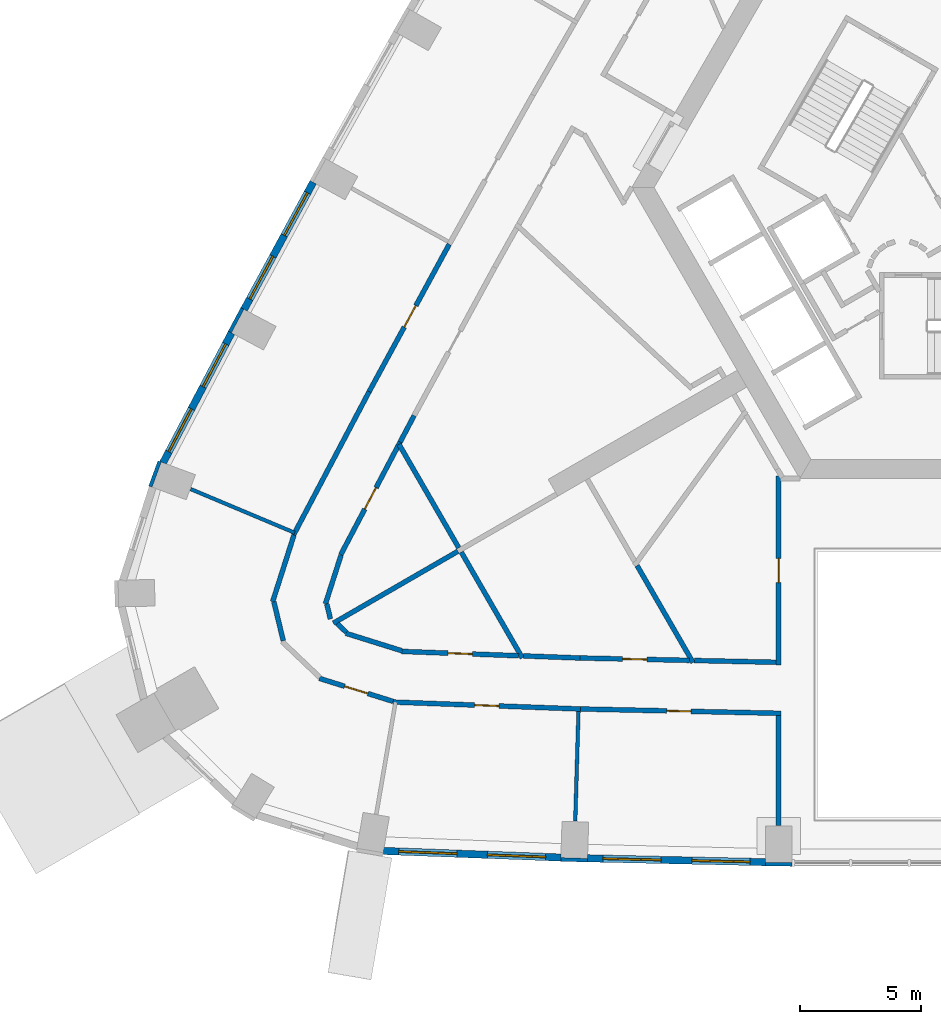
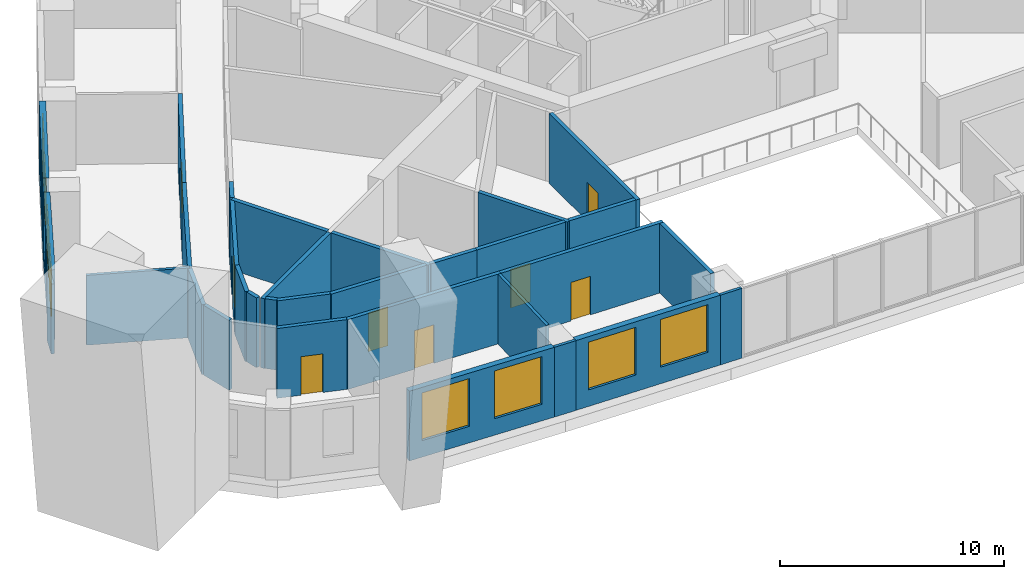
# One storey, part 4 of 14: 33 walls, 8 doors, 8 windows, 16 openings.
"""IFC4 building model written with IfcOpenShell, lengths in metres."""

from ifc_helpers import new_model, si_unit, direction, frame, frame_2d, origin, place, context, subcontext, project, spatial, rectangle, extrude, material, layer, layer_set, type_object, element, fill, save


model = new_model("IFC4")

# Units and contexts
model_context = context("Model", 3, precision=1e-05, world=origin(), true_north=direction((0.0, 1.0)))
body_context = subcontext(model_context, "Body", "Model", "MODEL_VIEW")
ifc_project = project(units=[si_unit("LENGTHUNIT", "METRE"), si_unit("AREAUNIT", "SQUARE_METRE"), si_unit("VOLUMEUNIT", "CUBIC_METRE"), si_unit("PLANEANGLEUNIT", "RADIAN"), si_unit("MASSUNIT", "GRAM", prefix="KILO")], contexts=[model_context])

# Site, building, storey
site_placement = place(None, origin())
site = spatial("IfcSite", under=ifc_project, at=site_placement, CompositionType="ELEMENT")
building_placement = place(site_placement, origin())
building = spatial("IfcBuilding", under=site, at=building_placement, Name="Entoto Arch Interchange Tower", CompositionType="ELEMENT")
storey_placement = place(building_placement, frame((0.0, 0.0, 163.39990234375)))
storey = spatial("IfcBuildingStorey", under=building, at=storey_placement, Name="L36", CompositionType="ELEMENT", Elevation=163.39990234375)

# Walls
ifc_material_1 = material(Name="Gypsum board partition on steel studs", Category="steel")
ifc_layer_1 = layer(ifc_material_1, 0.14990234375)
ifc_layer_set_1 = layer_set([ifc_layer_1], Name="Gypsum board partition on steel studs")
wall_type_1 = type_object("IfcWallType", Name="PARTITION 150", PredefinedType="PARTITIONING", material=ifc_layer_set_1)
wall_1_placement = place(storey_placement, frame((-27.7509765625, -11.72998046875, 0.0), z_axis=(0.0, 0.0, 1.0), x_axis=(-0.92196786851, 0.387266380462, 0.0)))
element("IfcWall", 1, at=wall_1_placement, inside=storey, type_object=wall_type_1, Name="wall:L36:p144", PredefinedType="PARTITIONING", context=body_context, shape_type="SweptSolid", body=[
    extrude(rectangle(XDim=4.653076171875, YDim=0.14990234375, at=frame_2d((2.32666015625, 0.0))), origin(), (0.0, 0.0, 1.0), 3.800048828125),
])
wall_2_placement = place(storey_placement, frame((-16.052001953125, -19.092041015625, 0.0), z_axis=(0.0, 0.0, 1.0), x_axis=(-0.029372127975, -0.999568545973, 0.0)))
element("IfcWall", 2, at=wall_2_placement, inside=storey, type_object=wall_type_1, Name="wall:L36:p146", PredefinedType="PARTITIONING", context=body_context, shape_type="SweptSolid", body=[
    extrude(rectangle(XDim=4.530029296875, YDim=0.14990234375, at=frame_2d((2.26513671875, 0.0))), origin(), (0.0, 0.0, 1.0), 3.800048828125),
])
ifc_layer_2 = layer(ifc_material_1, 0.199951171875)
ifc_layer_set_2 = layer_set([ifc_layer_2], Name="Gypsum board partition on steel studs")
wall_type_2 = type_object("IfcWallType", Name="PARTITION 200", PredefinedType="PARTITIONING", material=ifc_layer_set_2)
wall_3_placement = place(storey_placement, frame((-11.278076171875, -16.99609375, 0.0), z_axis=(0.0, 0.0, 1.0), x_axis=(0.999766613119, -0.021603687022, 0.0)))
element("IfcWall", 3, at=wall_3_placement, inside=storey, type_object=wall_type_2, Name="wall:L36:p031", PredefinedType="PARTITIONING", context=body_context, shape_type="SweptSolid", body=[
    extrude(rectangle(XDim=3.37890625, YDim=0.199951171875, at=frame_2d((1.689453125, 0.0))), origin(), (0.0, 0.0, 1.0), 3.800048828125),
])
wall_4_placement = place(storey_placement, frame((-22.827880859375, -6.89697265625, 0.0), z_axis=(0.0, 0.0, 1.0), x_axis=(-0.467225806893, -0.884138023938, 0.0)))
element("IfcWall", 4, at=wall_4_placement, inside=storey, type_object=wall_type_2, Name="wall:L36:p034", PredefinedType="PARTITIONING", context=body_context, shape_type="SweptSolid", body=[
    extrude(rectangle(XDim=1.2373046875, YDim=0.199951171875, at=frame_2d((0.61865234375, 0.0))), origin(), (0.0, 0.0, 1.0), 3.800048828125),
])
wall_5_placement = place(storey_placement, frame((-18.31591796875, -16.806884765625, 0.0), z_axis=(0.0, 0.0, 1.0), x_axis=(0.999315981353, -0.036980662692, 0.0)))
element("IfcWall", 5, at=wall_5_placement, inside=storey, type_object=wall_type_2, Name="wall:L36:p035", PredefinedType="PARTITIONING", context=body_context, shape_type="SweptSolid", body=[
    extrude(rectangle(XDim=2.33056640625, YDim=0.199951171875, at=frame_2d((1.165283203125, 0.0))), origin(), (0.0, 0.0, 1.0), 3.800048828125),
])

# Wall, opening, door
wall_6_placement = place(storey_placement, frame((-15.987060546875, -16.89306640625, 0.0), z_axis=(0.0, 0.0, 1.0), x_axis=(0.999764376572, -0.021706942174, 0.0)))
wall_6 = element("IfcWall", 6, at=wall_6_placement, inside=storey, type_object=wall_type_2, Name="wall:L36:p036", PredefinedType="PARTITIONING", context=body_context, shape_type="SweptSolid", body=[
    extrude(rectangle(XDim=4.510009765625, YDim=0.199951171875, at=frame_2d((2.2548828125, 0.0))), origin(), (0.0, 0.0, 1.0), 3.800048828125),
])
opening_1_placement = place(wall_6_placement, frame((1.7548828125, 0.0, 0.0)))
opening_1 = element("IfcOpeningElement", 7, at=opening_1_placement, cuts=wall_6, Name="Opening L36-D20", PredefinedType="OPENING", context=body_context, shape_type="SweptSolid", body=[
    extrude(rectangle(XDim=1.0, YDim=2.10009765625, at=frame_2d((0.5, 1.050048828125))), frame((0.0, 0.10986328125, 0.0), z_axis=(0.0, -1.0, 0.0), x_axis=(1.0, 0.0, 0.0)), (0.0, 0.0, 1.0), 0.219970703125),
])
ifc_material_2 = material(Name="Timber door leaf in Steel S235 frame", Category="steel")
door_type = type_object("IfcDoorType", Name="DOOR DS-10 1000x2100", OperationType="SINGLE_SWING_LEFT", PredefinedType="DOOR", material=ifc_material_2)
door_1_placement = place(opening_1_placement, origin())
door_1 = element("IfcDoor", 8, at=door_1_placement, inside=storey, type_object=door_type, Name="door:L36:20", OperationType="SINGLE_SWING_LEFT", OverallHeight=2.10009765625, OverallWidth=1.0, PredefinedType="DOOR", context=body_context, shape_type="SweptSolid", body=[
    extrude(rectangle(XDim=1.0, YDim=2.10009765625, at=frame_2d((0.5, 1.050048828125))), frame((0.0, 0.02490234375, 0.0), z_axis=(0.0, -1.0, 0.0), x_axis=(1.0, 0.0, 0.0)), (0.0, 0.0, 1.0), 0.050048828125),
])
fill(opening_1, door_1)

wall_7_placement = place(storey_placement, frame((-23.406005859375, -7.990966796875, 0.0), z_axis=(0.0, 0.0, 1.0), x_axis=(-0.466307932558, -0.884622468646, 0.0)))
wall_7 = element("IfcWall", 9, at=wall_7_placement, inside=storey, type_object=wall_type_2, Name="wall:L36:p037", PredefinedType="PARTITIONING", context=body_context, shape_type="SweptSolid", body=[
    extrude(rectangle(XDim=5.249755859375, YDim=0.199951171875, at=frame_2d((2.625, 0.0))), origin(), (0.0, 0.0, 1.0), 3.800048828125),
])
opening_2_placement = place(wall_7_placement, frame((2.125, 0.0, 0.0)))
opening_2 = element("IfcOpeningElement", 10, at=opening_2_placement, cuts=wall_7, Name="Opening L36-D21", PredefinedType="OPENING", context=body_context, shape_type="SweptSolid", body=[
    extrude(rectangle(XDim=1.0, YDim=2.10009765625, at=frame_2d((0.5, 1.050048828125))), frame((0.0, 0.10986328125, 0.0), z_axis=(0.0, -1.0, 0.0), x_axis=(1.0, 0.0, 0.0)), (0.0, 0.0, 1.0), 0.219970703125),
])
door_2_placement = place(opening_2_placement, origin())
door_2 = element("IfcDoor", 11, at=door_2_placement, inside=storey, type_object=door_type, Name="door:L36:21", OperationType="SINGLE_SWING_LEFT", OverallHeight=2.10009765625, OverallWidth=1.0, PredefinedType="DOOR", context=body_context, shape_type="SweptSolid", body=[
    extrude(rectangle(XDim=1.0, YDim=2.10009765625, at=frame_2d((0.5, 1.050048828125))), frame((0.0, 0.02490234375, 0.0), z_axis=(0.0, -1.0, 0.0), x_axis=(1.0, 0.0, 0.0)), (0.0, 0.0, 1.0), 0.050048828125),
])
fill(opening_2, door_2)

# Walls
wall_8_placement = place(storey_placement, frame((-25.837890625, -12.64208984375, 0.0), z_axis=(0.0, 0.0, 1.0), x_axis=(-0.305169069368, -0.952298188122, 0.0)))
element("IfcWall", 12, at=wall_8_placement, inside=storey, type_object=wall_type_2, Name="wall:L36:p038", PredefinedType="PARTITIONING", context=body_context, shape_type="SweptSolid", body=[
    extrude(rectangle(XDim=2.116943359375, YDim=0.199951171875, at=frame_2d((1.05859375, 0.0))), origin(), (0.0, 0.0, 1.0), 3.800048828125),
])
wall_9_placement = place(storey_placement, frame((-26.429931640625, -14.659912109375, 0.0), z_axis=(0.0, 0.0, 1.0), x_axis=(0.233574377125, -0.972338938, 0.0)))
element("IfcWall", 13, at=wall_9_placement, inside=storey, type_object=wall_type_2, Name="wall:L36:p039", PredefinedType="PARTITIONING", context=body_context, shape_type="SweptSolid", body=[
    extrude(rectangle(XDim=0.641845703125, YDim=0.199951171875, at=frame_2d((0.32080078125, 0.0))), origin(), (0.0, 0.0, 1.0), 3.800048828125),
])
wall_10_placement = place(storey_placement, frame((-25.998046875, -15.47607421875, 0.0), z_axis=(0.0, 0.0, 1.0), x_axis=(0.724294499657, -0.689490737985, 0.0)))
element("IfcWall", 14, at=wall_10_placement, inside=storey, type_object=wall_type_2, Name="wall:L36:p040", PredefinedType="PARTITIONING", context=body_context, shape_type="SweptSolid", body=[
    extrude(rectangle(XDim=0.51904296875, YDim=0.199951171875, at=frame_2d((0.259521484375, 0.0))), origin(), (0.0, 0.0, 1.0), 3.800048828125),
])
wall_11_placement = place(storey_placement, frame((-25.64501953125, -15.873046875, 0.0), z_axis=(0.0, 0.0, 1.0), x_axis=(0.95454810771, -0.298056890655, 0.0)))
element("IfcWall", 15, at=wall_11_placement, inside=storey, type_object=wall_type_2, Name="wall:L36:p041", PredefinedType="PARTITIONING", context=body_context, shape_type="SweptSolid", body=[
    extrude(rectangle(XDim=2.422119140625, YDim=0.199951171875, at=frame_2d((1.2109375, 0.0))), origin(), (0.0, 0.0, 1.0), 3.800048828125),
])

# Wall, opening, door
wall_12_placement = place(storey_placement, frame((-23.3369140625, -16.62109375, 0.0), z_axis=(0.0, 0.0, 1.0), x_axis=(0.999311710526, -0.037095892019, 0.0)))
wall_12 = element("IfcWall", 16, at=wall_12_placement, inside=storey, type_object=wall_type_2, Name="wall:L36:p042", PredefinedType="PARTITIONING", context=body_context, shape_type="SweptSolid", body=[
    extrude(rectangle(XDim=4.82421875, YDim=0.199951171875, at=frame_2d((2.412109375, 0.0))), origin(), (0.0, 0.0, 1.0), 3.800048828125),
])
opening_3_placement = place(wall_12_placement, frame((1.9130859375, 0.0, 0.0)))
opening_3 = element("IfcOpeningElement", 17, at=opening_3_placement, cuts=wall_12, Name="Opening L36-D22", PredefinedType="OPENING", context=body_context, shape_type="SweptSolid", body=[
    extrude(rectangle(XDim=1.0, YDim=2.10009765625, at=frame_2d((0.5, 1.050048828125))), frame((0.0, 0.10986328125, 0.0), z_axis=(0.0, -1.0, 0.0), x_axis=(1.0, 0.0, 0.0)), (0.0, 0.0, 1.0), 0.219970703125),
])
door_3_placement = place(opening_3_placement, origin())
door_3 = element("IfcDoor", 18, at=door_3_placement, inside=storey, type_object=door_type, Name="door:L36:22", OperationType="SINGLE_SWING_LEFT", OverallHeight=2.10009765625, OverallWidth=1.0, PredefinedType="DOOR", context=body_context, shape_type="SweptSolid", body=[
    extrude(rectangle(XDim=1.0, YDim=2.10009765625, at=frame_2d((0.5, 1.050048828125))), frame((0.0, 0.02490234375, 0.0), z_axis=(0.0, -1.0, 0.0), x_axis=(1.0, 0.0, 0.0)), (0.0, 0.0, 1.0), 0.050048828125),
])
fill(opening_3, door_3)

# Wall
wall_13_placement = place(storey_placement, frame((-27.798095703125, -11.819091796875, 0.0), z_axis=(0.0, 0.0, 1.0), x_axis=(0.466450727507, 0.884547182918, 0.0)))
element("IfcWall", 19, at=wall_13_placement, inside=storey, type_object=wall_type_2, Name="wall:L36:p070", PredefinedType="PARTITIONING", context=body_context, shape_type="SweptSolid", body=[
    extrude(rectangle(XDim=6.684814453125, YDim=0.199951171875, at=frame_2d((3.34228515625, 0.0))), origin(), (0.0, 0.0, 1.0), 3.800048828125),
])

# Wall, opening, door
wall_14_placement = place(storey_placement, frame((-24.679931640625, -5.906005859375, 0.0), z_axis=(0.0, 0.0, 1.0), x_axis=(0.47757676389, 0.878590026459, 0.0)))
wall_14 = element("IfcWall", 20, at=wall_14_placement, inside=storey, type_object=wall_type_2, Name="wall:L36:p071", PredefinedType="PARTITIONING", context=body_context, shape_type="SweptSolid", body=[
    extrude(rectangle(XDim=6.909912109375, YDim=0.199951171875, at=frame_2d((3.455078125, 0.0))), origin(), (0.0, 0.0, 1.0), 3.800048828125),
])
opening_4_placement = place(wall_14_placement, frame((3.029052734375, 0.0, 0.0)))
opening_4 = element("IfcOpeningElement", 21, at=opening_4_placement, cuts=wall_14, Name="Opening L36-D11", PredefinedType="OPENING", context=body_context, shape_type="SweptSolid", body=[
    extrude(rectangle(XDim=1.0, YDim=2.10009765625, at=frame_2d((0.5, 1.050048828125))), frame((0.0, 0.10986328125, 0.0), z_axis=(0.0, -1.0, 0.0), x_axis=(1.0, 0.0, 0.0)), (0.0, 0.0, 1.0), 0.219970703125),
])
door_4_placement = place(opening_4_placement, origin())
door_4 = element("IfcDoor", 22, at=door_4_placement, inside=storey, type_object=door_type, Name="door:L36:11", OperationType="SINGLE_SWING_LEFT", OverallHeight=2.10009765625, OverallWidth=1.0, PredefinedType="DOOR", context=body_context, shape_type="SweptSolid", body=[
    extrude(rectangle(XDim=1.0, YDim=2.10009765625, at=frame_2d((0.5, 1.050048828125))), frame((0.0, 0.02490234375, 0.0), z_axis=(0.0, -1.0, 0.0), x_axis=(1.0, 0.0, 0.0)), (0.0, 0.0, 1.0), 0.050048828125),
])
fill(opening_4, door_4)

wall_15_placement = place(storey_placement, frame((-23.69091796875, -18.68310546875, 0.0), z_axis=(0.0, 0.0, 1.0), x_axis=(-0.954546657381, 0.298061535398, 0.0)))
wall_15 = element("IfcWall", 23, at=wall_15_placement, inside=storey, type_object=wall_type_2, Name="wall:L36:p072", PredefinedType="PARTITIONING", context=body_context, shape_type="SweptSolid", body=[
    extrude(rectangle(XDim=3.191162109375, YDim=0.199951171875, at=frame_2d((1.595703125, 0.0))), origin(), (0.0, 0.0, 1.0), 3.800048828125),
])
opening_5_placement = place(wall_15_placement, frame((1.095947265625, 0.0, 0.0)))
opening_5 = element("IfcOpeningElement", 24, at=opening_5_placement, cuts=wall_15, Name="Opening L36-D12", PredefinedType="OPENING", context=body_context, shape_type="SweptSolid", body=[
    extrude(rectangle(XDim=1.0, YDim=2.10009765625, at=frame_2d((0.5, 1.050048828125))), frame((0.0, 0.10986328125, 0.0), z_axis=(0.0, -1.0, 0.0), x_axis=(1.0, 0.0, 0.0)), (0.0, 0.0, 1.0), 0.219970703125),
])
door_5_placement = place(opening_5_placement, origin())
door_5 = element("IfcDoor", 25, at=door_5_placement, inside=storey, type_object=door_type, Name="door:L36:12", OperationType="SINGLE_SWING_LEFT", OverallHeight=2.10009765625, OverallWidth=1.0, PredefinedType="DOOR", context=body_context, shape_type="SweptSolid", body=[
    extrude(rectangle(XDim=1.0, YDim=2.10009765625, at=frame_2d((0.5, 1.050048828125))), frame((0.0, 0.02490234375, 0.0), z_axis=(0.0, -1.0, 0.0), x_axis=(1.0, 0.0, 0.0)), (0.0, 0.0, 1.0), 0.050048828125),
])
fill(opening_5, door_5)

# Walls
wall_16_placement = place(storey_placement, frame((-28.222900390625, -16.18408203125, 0.0), z_axis=(0.0, 0.0, 1.0), x_axis=(-0.233826017197, 0.972278454807, 0.0)))
element("IfcWall", 26, at=wall_16_placement, inside=storey, type_object=wall_type_2, Name="wall:L36:p074", PredefinedType="PARTITIONING", context=body_context, shape_type="SweptSolid", body=[
    extrude(rectangle(XDim=1.650634765625, YDim=0.199951171875, at=frame_2d((0.8251953125, 0.0))), origin(), (0.0, 0.0, 1.0), 3.800048828125),
])
wall_17_placement = place(storey_placement, frame((-28.6630859375, -14.576904296875, 0.0), z_axis=(0.0, 0.0, 1.0), x_axis=(0.304925942137, 0.952376065329, 0.0)))
element("IfcWall", 27, at=wall_17_placement, inside=storey, type_object=wall_type_2, Name="wall:L36:p075", PredefinedType="PARTITIONING", context=body_context, shape_type="SweptSolid", body=[
    extrude(rectangle(XDim=2.8896484375, YDim=0.199951171875, at=frame_2d((1.44482421875, 0.0))), origin(), (0.0, 0.0, 1.0), 3.800048828125),
])

# Wall, opening, door
wall_18_placement = place(storey_placement, frame((-15.97412109375, -18.9951171875, 0.0), z_axis=(0.0, 0.0, 1.0), x_axis=(-0.999314011084, 0.037033866276, 0.0)))
wall_18 = element("IfcWall", 28, at=wall_18_placement, inside=storey, type_object=wall_type_2, Name="wall:L36:p076", PredefinedType="PARTITIONING", context=body_context, shape_type="SweptSolid", body=[
    extrude(rectangle(XDim=7.726318359375, YDim=0.199951171875, at=frame_2d((3.86328125, 0.0))), origin(), (0.0, 0.0, 1.0), 3.800048828125),
])
opening_6_placement = place(wall_18_placement, frame((3.363037109375, 0.0, 0.0)))
opening_6 = element("IfcOpeningElement", 29, at=opening_6_placement, cuts=wall_18, Name="Opening L36-D13", PredefinedType="OPENING", context=body_context, shape_type="SweptSolid", body=[
    extrude(rectangle(XDim=1.0, YDim=2.10009765625, at=frame_2d((0.5, 1.050048828125))), frame((0.0, 0.10986328125, 0.0), z_axis=(0.0, -1.0, 0.0), x_axis=(1.0, 0.0, 0.0)), (0.0, 0.0, 1.0), 0.219970703125),
])
door_6_placement = place(opening_6_placement, origin())
door_6 = element("IfcDoor", 30, at=door_6_placement, inside=storey, type_object=door_type, Name="door:L36:13", OperationType="SINGLE_SWING_LEFT", OverallHeight=2.10009765625, OverallWidth=1.0, PredefinedType="DOOR", context=body_context, shape_type="SweptSolid", body=[
    extrude(rectangle(XDim=1.0, YDim=2.10009765625, at=frame_2d((0.5, 1.050048828125))), frame((0.0, 0.02490234375, 0.0), z_axis=(0.0, -1.0, 0.0), x_axis=(1.0, 0.0, 0.0)), (0.0, 0.0, 1.0), 0.050048828125),
])
fill(opening_6, door_6)

wall_19_placement = place(storey_placement, frame((-7.699951171875, -19.174072265625, 0.0), z_axis=(0.0, 0.0, 1.0), x_axis=(-0.999762993889, 0.02177053169, 0.0)))
wall_19 = element("IfcWall", 31, at=wall_19_placement, inside=storey, type_object=wall_type_2, Name="wall:L36:p077", PredefinedType="PARTITIONING", context=body_context, shape_type="SweptSolid", body=[
    extrude(rectangle(XDim=8.276123046875, YDim=0.199951171875, at=frame_2d((4.13818359375, 0.0))), origin(), (0.0, 0.0, 1.0), 3.800048828125),
])
opening_7_placement = place(wall_19_placement, frame((3.712890625, 0.0, 0.0)))
opening_7 = element("IfcOpeningElement", 32, at=opening_7_placement, cuts=wall_19, Name="Opening L36-D14", PredefinedType="OPENING", context=body_context, shape_type="SweptSolid", body=[
    extrude(rectangle(XDim=1.0, YDim=2.10009765625, at=frame_2d((0.5, 1.050048828125))), frame((0.0, 0.10986328125, 0.0), z_axis=(0.0, -1.0, 0.0), x_axis=(1.0, 0.0, 0.0)), (0.0, 0.0, 1.0), 0.219970703125),
])
door_7_placement = place(opening_7_placement, origin())
door_7 = element("IfcDoor", 33, at=door_7_placement, inside=storey, type_object=door_type, Name="door:L36:14", OperationType="SINGLE_SWING_RIGHT", OverallHeight=2.10009765625, OverallWidth=1.0, PredefinedType="DOOR", context=body_context, shape_type="SweptSolid", body=[
    extrude(rectangle(XDim=1.0, YDim=2.10009765625, at=frame_2d((0.5, 1.050048828125))), frame((0.0, 0.02490234375, 0.0), z_axis=(0.0, -1.0, 0.0), x_axis=(1.0, 0.0, 0.0)), (0.0, 0.0, 1.0), 0.050048828125),
])
fill(opening_7, door_7)

wall_20_placement = place(storey_placement, frame((-7.800048828125, -17.1708984375, 0.0), z_axis=(0.0, 0.0, 1.0), x_axis=(0.0, 1.0, 0.0)))
wall_20 = element("IfcWall", 34, at=wall_20_placement, inside=storey, type_object=wall_type_2, Name="wall:L36:p118", PredefinedType="PARTITIONING", context=body_context, shape_type="SweptSolid", body=[
    extrude(rectangle(XDim=7.77197265625, YDim=0.199951171875, at=frame_2d((3.885986328125, 0.0))), origin(), (0.0, 0.0, 1.0), 3.800048828125),
])
opening_8_placement = place(wall_20_placement, frame((3.385986328125, 0.0, 0.0)))
opening_8 = element("IfcOpeningElement", 35, at=opening_8_placement, cuts=wall_20, Name="Opening L36-D18", PredefinedType="OPENING", context=body_context, shape_type="SweptSolid", body=[
    extrude(rectangle(XDim=1.0, YDim=2.10009765625, at=frame_2d((0.5, 1.050048828125))), frame((0.0, 0.10986328125, 0.0), z_axis=(0.0, -1.0, 0.0), x_axis=(1.0, 0.0, 0.0)), (0.0, 0.0, 1.0), 0.219970703125),
])
door_8_placement = place(opening_8_placement, origin())
door_8 = element("IfcDoor", 36, at=door_8_placement, inside=storey, type_object=door_type, Name="door:L36:18", OperationType="SINGLE_SWING_LEFT", OverallHeight=2.10009765625, OverallWidth=1.0, PredefinedType="DOOR", context=body_context, shape_type="SweptSolid", body=[
    extrude(rectangle(XDim=1.0, YDim=2.10009765625, at=frame_2d((0.5, 1.050048828125))), frame((0.0, 0.02490234375, 0.0), z_axis=(0.0, -1.0, 0.0), x_axis=(1.0, 0.0, 0.0)), (0.0, 0.0, 1.0), 0.050048828125),
])
fill(opening_8, door_8)

# Walls
wall_21_placement = place(storey_placement, frame((-7.800048828125, -23.802978515625, 0.0), z_axis=(0.0, 0.0, 1.0), x_axis=(0.0, 1.0, 0.0)))
element("IfcWall", 37, at=wall_21_placement, inside=storey, type_object=wall_type_2, Name="wall:L36:p120", PredefinedType="PARTITIONING", context=body_context, shape_type="SweptSolid", body=[
    extrude(rectangle(XDim=4.531005859375, YDim=0.199951171875, at=frame_2d((2.265625, 0.0))), origin(), (0.0, 0.0, 1.0), 3.800048828125),
])
wall_22_placement = place(storey_placement, frame((-11.327880859375, -17.080078125, 0.0), z_axis=(0.0, 0.0, 1.0), x_axis=(-0.499972710878, 0.866041158593, 0.0)))
element("IfcWall", 38, at=wall_22_placement, inside=storey, type_object=wall_type_2, Name="wall:L36:p128", PredefinedType="PARTITIONING", context=body_context, shape_type="SweptSolid", body=[
    extrude(rectangle(XDim=4.616455078125, YDim=0.199951171875, at=frame_2d((2.30810546875, 0.0))), origin(), (0.0, 0.0, 1.0), 3.800048828125),
])
wall_23_placement = place(storey_placement, frame((-20.986083984375, -12.35107421875, 0.0), z_axis=(0.0, 0.0, 1.0), x_axis=(-0.499993851206, 0.866028953763, 0.0)))
element("IfcWall", 39, at=wall_23_placement, inside=storey, type_object=wall_type_2, Name="wall:L36:p131", PredefinedType="PARTITIONING", context=body_context, shape_type="SweptSolid", body=[
    extrude(rectangle(XDim=4.931640625, YDim=0.199951171875, at=frame_2d((2.4658203125, 0.0))), origin(), (0.0, 0.0, 1.0), 3.800048828125),
])
wall_24_placement = place(storey_placement, frame((-18.365966796875, -16.889892578125, 0.0), z_axis=(0.0, 0.0, 1.0), x_axis=(-0.499965828395, 0.866045131871, 0.0)))
element("IfcWall", 40, at=wall_24_placement, inside=storey, type_object=wall_type_2, Name="wall:L36:p132", PredefinedType="PARTITIONING", context=body_context, shape_type="SweptSolid", body=[
    extrude(rectangle(XDim=5.036376953125, YDim=0.199951171875, at=frame_2d((2.51806640625, 0.0))), origin(), (0.0, 0.0, 1.0), 3.800048828125),
])
wall_25_placement = place(storey_placement, frame((-21.02099609375, -12.490966796875, 0.0), z_axis=(0.0, 0.0, 1.0), x_axis=(-0.865966890845, -0.500101333692, 0.0)))
element("IfcWall", 41, at=wall_25_placement, inside=storey, type_object=wall_type_2, Name="wall:L36:p133", PredefinedType="PARTITIONING", context=body_context, shape_type="SweptSolid", body=[
    extrude(rectangle(XDim=5.930908203125, YDim=0.199951171875, at=frame_2d((2.96533203125, 0.0))), origin(), (0.0, 0.0, 1.0), 3.800048828125),
])

# Wall, openings, windows
ifc_material_3 = material(Name="Welded tuff (ignimbrite) cladding, warm buff", Category="masonry")
ifc_layer_3 = layer(ifc_material_3, 0.300048828125)
ifc_layer_set_3 = layer_set([ifc_layer_3], Name="Welded tuff (ignimbrite) cladding, warm buff")
wall_type_3 = type_object("IfcWallType", Name="STONE INFILL WALL 300", PredefinedType="STANDARD", material=ifc_layer_set_3)
wall_26_placement = place(storey_placement, frame((-24.090087890625, -24.847900390625, 0.0), z_axis=(0.0, 0.0, 1.0), x_axis=(0.999307730926, -0.037202942236, 0.0)))
wall_26 = element("IfcWall", 42, at=wall_26_placement, inside=storey, type_object=wall_type_3, Name="Facade wall S-01 L36", PredefinedType="STANDARD", context=body_context, shape_type="SweptSolid", body=[
    extrude(rectangle(XDim=7.317138671875, YDim=0.300048828125, at=frame_2d((3.65869140625, 0.0))), origin(), (0.0, 0.0, 1.0), 3.800048828125),
])
opening_9_placement = place(wall_26_placement, frame((0.62890625, 0.0, 0.89990234375)))
opening_9 = element("IfcOpeningElement", 43, at=opening_9_placement, cuts=wall_26, Name="Opening WO-A", PredefinedType="OPENING", context=body_context, shape_type="SweptSolid", body=[
    extrude(rectangle(XDim=2.39990234375, YDim=2.60009765625, at=frame_2d((1.199951171875, 1.300048828125))), frame((0.0, 0.16015625, 0.0), z_axis=(0.0, -1.0, 0.0), x_axis=(1.0, 0.0, 0.0)), (0.0, 0.0, 1.0), 0.320068359375),
])
opening_10_placement = place(wall_26_placement, frame((4.2880859375, 0.0, 0.89990234375)))
opening_10 = element("IfcOpeningElement", 44, at=opening_10_placement, cuts=wall_26, Name="Opening WO-A", PredefinedType="OPENING", context=body_context, shape_type="SweptSolid", body=[
    extrude(rectangle(XDim=2.39990234375, YDim=2.60009765625, at=frame_2d((1.199951171875, 1.300048828125))), frame((0.0, 0.16015625, 0.0), z_axis=(0.0, -1.0, 0.0), x_axis=(1.0, 0.0, 0.0)), (0.0, 0.0, 1.0), 0.320068359375),
])
ifc_material_4 = material(Name="Clear glass, low-e double glazed", Category="glass")
window_type_1 = type_object("IfcWindowType", Name="WINDOW WO-A 2400x2600", PartitioningType="DOUBLE_PANEL_VERTICAL", PredefinedType="WINDOW", material=ifc_material_4)
window_1_placement = place(opening_9_placement, origin())
window_1 = element("IfcWindow", 45, at=window_1_placement, inside=storey, type_object=window_type_1, Name="Window WO-A S-01 L36", OverallHeight=2.60009765625, OverallWidth=2.39990234375, PartitioningType="SINGLE_PANEL", PredefinedType="WINDOW", context=body_context, shape_type="SweptSolid", body=[
    extrude(rectangle(XDim=2.39990234375, YDim=2.60009765625, at=frame_2d((1.199951171875, 1.300048828125))), frame((0.0, 0.030029296875, 0.0), z_axis=(0.0, -1.0, 0.0), x_axis=(1.0, 0.0, 0.0)), (0.0, 0.0, 1.0), 0.06005859375),
])
fill(opening_9, window_1)
window_2_placement = place(opening_10_placement, origin())
window_2 = element("IfcWindow", 46, at=window_2_placement, inside=storey, type_object=window_type_1, Name="Window WO-A S-01 L36", OverallHeight=2.60009765625, OverallWidth=2.39990234375, PartitioningType="SINGLE_PANEL", PredefinedType="WINDOW", context=body_context, shape_type="SweptSolid", body=[
    extrude(rectangle(XDim=2.39990234375, YDim=2.60009765625, at=frame_2d((1.199951171875, 1.300048828125))), frame((0.0, 0.030029296875, 0.0), z_axis=(0.0, -1.0, 0.0), x_axis=(1.0, 0.0, 0.0)), (0.0, 0.0, 1.0), 0.06005859375),
])
fill(opening_10, window_2)

wall_27_placement = place(storey_placement, frame((-15.679931640625, -25.152099609375, 0.0), z_axis=(0.0, 0.0, 1.0), x_axis=(0.999765201774, -0.021668902196, 0.0)))
wall_27 = element("IfcWall", 47, at=wall_27_placement, inside=storey, type_object=wall_type_3, Name="Facade wall S-02 L36", PredefinedType="STANDARD", context=body_context, shape_type="SweptSolid", body=[
    extrude(rectangle(XDim=7.334716796875, YDim=0.300048828125, at=frame_2d((3.66748046875, 0.0))), origin(), (0.0, 0.0, 1.0), 3.800048828125),
])
opening_11_placement = place(wall_27_placement, frame((0.634033203125, 0.0, 0.89990234375)))
opening_11 = element("IfcOpeningElement", 48, at=opening_11_placement, cuts=wall_27, Name="Opening WO-A", PredefinedType="OPENING", context=body_context, shape_type="SweptSolid", body=[
    extrude(rectangle(XDim=2.39990234375, YDim=2.60009765625, at=frame_2d((1.199951171875, 1.300048828125))), frame((0.0, 0.16015625, 0.0), z_axis=(0.0, -1.0, 0.0), x_axis=(1.0, 0.0, 0.0)), (0.0, 0.0, 1.0), 0.320068359375),
])
opening_12_placement = place(wall_27_placement, frame((4.301025390625, 0.0, 0.89990234375)))
opening_12 = element("IfcOpeningElement", 49, at=opening_12_placement, cuts=wall_27, Name="Opening WO-A", PredefinedType="OPENING", context=body_context, shape_type="SweptSolid", body=[
    extrude(rectangle(XDim=2.39990234375, YDim=2.60009765625, at=frame_2d((1.199951171875, 1.300048828125))), frame((0.0, 0.16015625, 0.0), z_axis=(0.0, -1.0, 0.0), x_axis=(1.0, 0.0, 0.0)), (0.0, 0.0, 1.0), 0.320068359375),
])
window_3_placement = place(opening_11_placement, origin())
window_3 = element("IfcWindow", 50, at=window_3_placement, inside=storey, type_object=window_type_1, Name="Window WO-A S-02 L36", OverallHeight=2.60009765625, OverallWidth=2.39990234375, PartitioningType="SINGLE_PANEL", PredefinedType="WINDOW", context=body_context, shape_type="SweptSolid", body=[
    extrude(rectangle(XDim=2.39990234375, YDim=2.60009765625, at=frame_2d((1.199951171875, 1.300048828125))), frame((0.0, 0.030029296875, 0.0), z_axis=(0.0, -1.0, 0.0), x_axis=(1.0, 0.0, 0.0)), (0.0, 0.0, 1.0), 0.06005859375),
])
fill(opening_11, window_3)
window_4_placement = place(opening_12_placement, origin())
window_4 = element("IfcWindow", 51, at=window_4_placement, inside=storey, type_object=window_type_1, Name="Window WO-A S-02 L36", OverallHeight=2.60009765625, OverallWidth=2.39990234375, PartitioningType="SINGLE_PANEL", PredefinedType="WINDOW", context=body_context, shape_type="SweptSolid", body=[
    extrude(rectangle(XDim=2.39990234375, YDim=2.60009765625, at=frame_2d((1.199951171875, 1.300048828125))), frame((0.0, 0.030029296875, 0.0), z_axis=(0.0, -1.0, 0.0), x_axis=(1.0, 0.0, 0.0)), (0.0, 0.0, 1.0), 0.06005859375),
])
fill(opening_12, window_4)

wall_28_placement = place(storey_placement, frame((-26.990966796875, 2.719970703125, 0.0), z_axis=(0.0, 0.0, 1.0), x_axis=(-0.477555226268, -0.878601733361, 0.0)))
wall_28 = element("IfcWall", 52, at=wall_28_placement, inside=storey, type_object=wall_type_3, Name="Facade wall NW-06 L36", PredefinedType="STANDARD", context=body_context, shape_type="SweptSolid", body=[
    extrude(rectangle(XDim=5.964111328125, YDim=0.300048828125, at=frame_2d((2.98193359375, 0.0))), origin(), (0.0, 0.0, 1.0), 3.800048828125),
])
opening_13_placement = place(wall_28_placement, frame((0.490966796875, 0.0, 0.89990234375)))
opening_13 = element("IfcOpeningElement", 53, at=opening_13_placement, cuts=wall_28, Name="Opening WO-C", PredefinedType="OPENING", context=body_context, shape_type="SweptSolid", body=[
    extrude(rectangle(XDim=2.0, YDim=2.60009765625, at=frame_2d((1.0, 1.300048828125))), frame((0.0, 0.16015625, 0.0), z_axis=(0.0, -1.0, 0.0), x_axis=(1.0, 0.0, 0.0)), (0.0, 0.0, 1.0), 0.320068359375),
])
opening_14_placement = place(wall_28_placement, frame((3.472900390625, 0.0, 0.89990234375)))
opening_14 = element("IfcOpeningElement", 54, at=opening_14_placement, cuts=wall_28, Name="Opening WO-C", PredefinedType="OPENING", context=body_context, shape_type="SweptSolid", body=[
    extrude(rectangle(XDim=2.0, YDim=2.60009765625, at=frame_2d((1.0, 1.300048828125))), frame((0.0, 0.16015625, 0.0), z_axis=(0.0, -1.0, 0.0), x_axis=(1.0, 0.0, 0.0)), (0.0, 0.0, 1.0), 0.320068359375),
])
window_type_2 = type_object("IfcWindowType", Name="WINDOW WO-C 2000x2600", PartitioningType="DOUBLE_PANEL_VERTICAL", PredefinedType="WINDOW", material=ifc_material_4)
window_5_placement = place(opening_13_placement, origin())
window_5 = element("IfcWindow", 55, at=window_5_placement, inside=storey, type_object=window_type_2, Name="Window WO-C NW-06 L36", OverallHeight=2.60009765625, OverallWidth=2.0, PartitioningType="SINGLE_PANEL", PredefinedType="WINDOW", context=body_context, shape_type="SweptSolid", body=[
    extrude(rectangle(XDim=2.0, YDim=2.60009765625, at=frame_2d((1.0, 1.300048828125))), frame((0.0, 0.030029296875, 0.0), z_axis=(0.0, -1.0, 0.0), x_axis=(1.0, 0.0, 0.0)), (0.0, 0.0, 1.0), 0.06005859375),
])
fill(opening_13, window_5)
window_6_placement = place(opening_14_placement, origin())
window_6 = element("IfcWindow", 56, at=window_6_placement, inside=storey, type_object=window_type_2, Name="Window WO-C NW-06 L36", OverallHeight=2.60009765625, OverallWidth=2.0, PartitioningType="SINGLE_PANEL", PredefinedType="WINDOW", context=body_context, shape_type="SweptSolid", body=[
    extrude(rectangle(XDim=2.0, YDim=2.60009765625, at=frame_2d((1.0, 1.300048828125))), frame((0.0, 0.030029296875, 0.0), z_axis=(0.0, -1.0, 0.0), x_axis=(1.0, 0.0, 0.0)), (0.0, 0.0, 1.0), 0.06005859375),
])
fill(opening_14, window_6)

wall_29_placement = place(storey_placement, frame((-30.35791015625, -3.488037109375, 0.0), z_axis=(0.0, 0.0, 1.0), x_axis=(-0.466399410196, -0.884574242316, 0.0)))
wall_29 = element("IfcWall", 57, at=wall_29_placement, inside=storey, type_object=wall_type_3, Name="Facade wall NW-07 L36", PredefinedType="STANDARD", context=body_context, shape_type="SweptSolid", body=[
    extrude(rectangle(XDim=6.054931640625, YDim=0.300048828125, at=frame_2d((3.02734375, 0.0))), origin(), (0.0, 0.0, 1.0), 3.800048828125),
])
opening_15_placement = place(wall_29_placement, frame((0.513916015625, 0.0, 0.89990234375)))
opening_15 = element("IfcOpeningElement", 58, at=opening_15_placement, cuts=wall_29, Name="Opening WO-C", PredefinedType="OPENING", context=body_context, shape_type="SweptSolid", body=[
    extrude(rectangle(XDim=2.0, YDim=2.60009765625, at=frame_2d((1.0, 1.300048828125))), frame((0.0, 0.16015625, 0.0), z_axis=(0.0, -1.0, 0.0), x_axis=(1.0, 0.0, 0.0)), (0.0, 0.0, 1.0), 0.320068359375),
])
opening_16_placement = place(wall_29_placement, frame((3.541015625, 0.0, 0.89990234375)))
opening_16 = element("IfcOpeningElement", 59, at=opening_16_placement, cuts=wall_29, Name="Opening WO-C", PredefinedType="OPENING", context=body_context, shape_type="SweptSolid", body=[
    extrude(rectangle(XDim=2.0, YDim=2.60009765625, at=frame_2d((1.0, 1.300048828125))), frame((0.0, 0.16015625, 0.0), z_axis=(0.0, -1.0, 0.0), x_axis=(1.0, 0.0, 0.0)), (0.0, 0.0, 1.0), 0.320068359375),
])
window_7_placement = place(opening_15_placement, origin())
window_7 = element("IfcWindow", 60, at=window_7_placement, inside=storey, type_object=window_type_2, Name="Window WO-C NW-07 L36", OverallHeight=2.60009765625, OverallWidth=2.0, PartitioningType="SINGLE_PANEL", PredefinedType="WINDOW", context=body_context, shape_type="SweptSolid", body=[
    extrude(rectangle(XDim=2.0, YDim=2.60009765625, at=frame_2d((1.0, 1.300048828125))), frame((0.0, 0.030029296875, 0.0), z_axis=(0.0, -1.0, 0.0), x_axis=(1.0, 0.0, 0.0)), (0.0, 0.0, 1.0), 0.06005859375),
])
fill(opening_15, window_7)
window_8_placement = place(opening_16_placement, origin())
window_8 = element("IfcWindow", 61, at=window_8_placement, inside=storey, type_object=window_type_2, Name="Window WO-C NW-07 L36", OverallHeight=2.60009765625, OverallWidth=2.0, PartitioningType="SINGLE_PANEL", PredefinedType="WINDOW", context=body_context, shape_type="SweptSolid", body=[
    extrude(rectangle(XDim=2.0, YDim=2.60009765625, at=frame_2d((1.0, 1.300048828125))), frame((0.0, 0.030029296875, 0.0), z_axis=(0.0, -1.0, 0.0), x_axis=(1.0, 0.0, 0.0)), (0.0, 0.0, 1.0), 0.06005859375),
])
fill(opening_16, window_8)

# Walls
ifc_layer_4 = layer(ifc_material_3, 0.14990234375)
ifc_layer_set_4 = layer_set([ifc_layer_4], Name="Welded tuff (ignimbrite) cladding, warm buff")
wall_type_4 = type_object("IfcWallType", Name="STONE PIER CLADDING 150", PredefinedType="STANDARD", material=ifc_layer_set_4)
for number, where, z_axis, x_axis, name in (
    (62, (-29.908935546875, -2.48193359375, 0.0), (0.0, 0.0, 1.0), (-0.470058271093, -0.88263538439, 0.0), "Stone pier NW07 L36"),
    (63, (-33.321044921875, -8.791015625, 0.0), (0.0, 0.0, 1.0), (-0.346229846278, -0.938149718087, 0.0), "Stone pier NW08 L36"),
):
    element("IfcWall", number, at=place(storey_placement, frame(where, z_axis=z_axis, x_axis=x_axis)), inside=storey, type_object=wall_type_4, Name=name, PredefinedType="STANDARD", context=body_context, shape_type="SweptSolid", body=[
        extrude(rectangle(XDim=1.10009765625, YDim=0.14990234375, at=frame_2d((0.550048828125, 0.0))), origin(), (0.0, 0.0, 1.0), 3.800048828125),
    ])
wall_30_placement = place(storey_placement, frame((-16.781005859375, -25.197998046875, 0.0), z_axis=(0.0, 0.0, 1.0), x_axis=(0.999523702549, -0.030860460829, 0.0)))
element("IfcWall", 64, at=wall_30_placement, inside=storey, type_object=wall_type_4, Name="Stone pier S02 L36", PredefinedType="STANDARD", context=body_context, shape_type="SweptSolid", body=[
    extrude(rectangle(XDim=1.099609375, YDim=0.14990234375, at=frame_2d((0.5498046875, 0.0))), origin(), (0.0, 0.0, 1.0), 3.800048828125),
])
wall_31_placement = place(storey_placement, frame((-8.34912109375, -25.39208984375, 0.0), z_axis=(0.0, 0.0, 1.0), x_axis=(0.999940879068, -0.010873746799, 0.0)))
element("IfcWall", 65, at=wall_31_placement, inside=storey, type_object=wall_type_4, Name="Stone pier S03 L36", PredefinedType="STANDARD", context=body_context, shape_type="SweptSolid", body=[
    extrude(rectangle(XDim=1.10009765625, YDim=0.14990234375, at=frame_2d((0.550048828125, 0.0))), origin(), (0.0, 0.0, 1.0), 3.800048828125),
])

save(model, "model.ifc")
